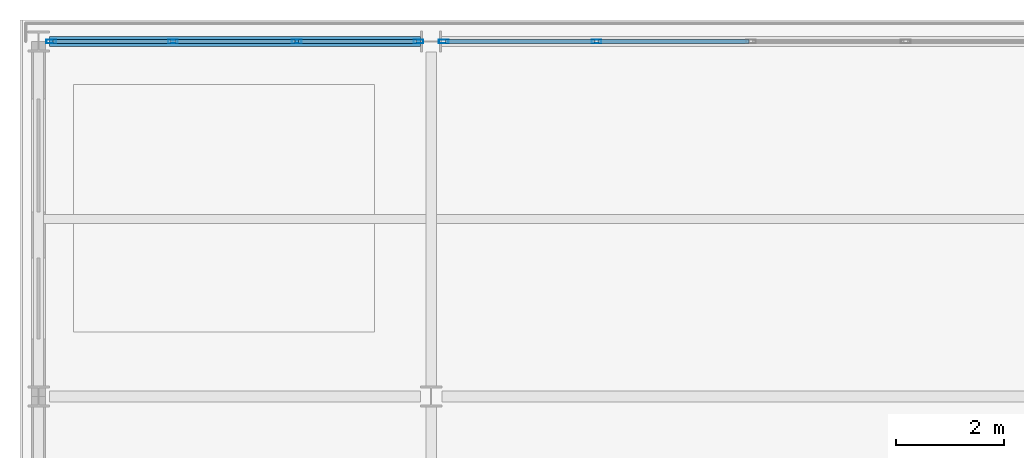
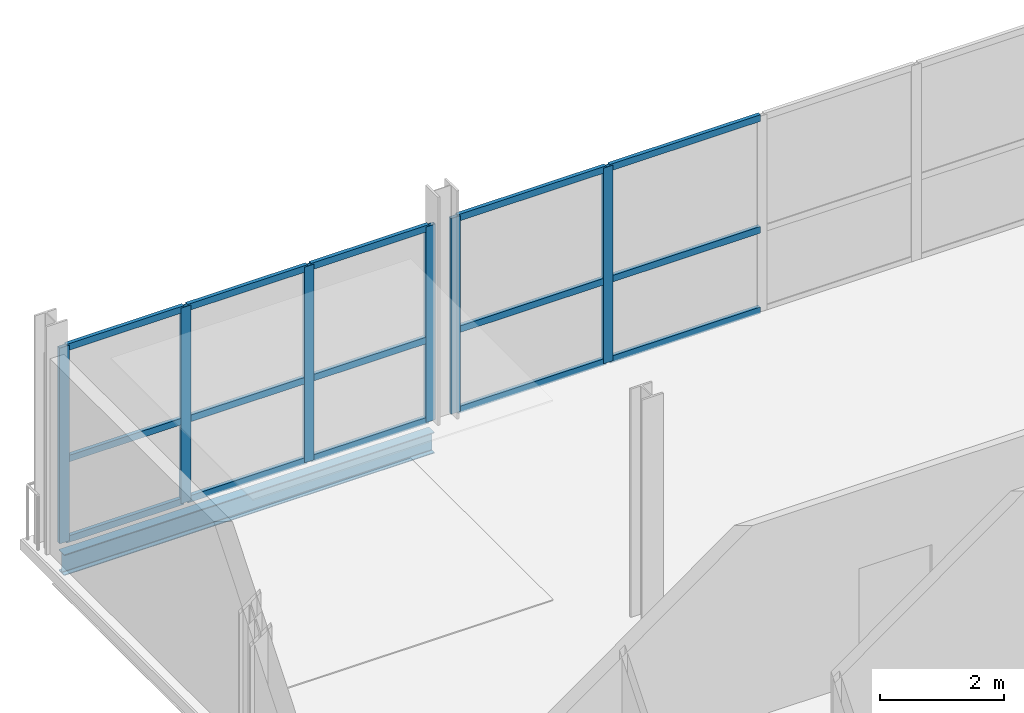
# One storey, part 36 of 77: 21 members, 1 beam, 2 elements without a shape of their own.
"""IFC4 building model written with IfcOpenShell, lengths in metres."""

from ifc_helpers import new_model, si_unit, direction, frame, origin, origin_2d, place, context, subcontext, project, spatial, hollow_rectangle, i_section, extrude, material, layer, layer_set, material_profile, profile_set, type_object, element, aggregate, save


model = new_model("IFC4")

# Units and contexts
model_context = context("Model", 3, precision=1e-05, world=origin(), true_north=direction((0.0, 1.0)))
body_context = subcontext(model_context, "Body", "Model", "MODEL_VIEW")
ifc_project = project(units=[si_unit("LENGTHUNIT", "METRE"), si_unit("AREAUNIT", "SQUARE_METRE"), si_unit("VOLUMEUNIT", "CUBIC_METRE"), si_unit("PLANEANGLEUNIT", "RADIAN"), si_unit("MASSUNIT", "GRAM", prefix="KILO")], contexts=[model_context])

# Site, building, storey
site_placement = place(None, origin())
site = spatial("IfcSite", under=ifc_project, at=site_placement, CompositionType="ELEMENT")
building_placement = place(site_placement, origin())
building = spatial("IfcBuilding", under=site, at=building_placement, Name="Quillay Park Conservatory", CompositionType="ELEMENT")
storey_placement = place(building_placement, frame((0.0, 0.0, 5.39990234375)))
storey = spatial("IfcBuildingStorey", under=building, at=storey_placement, Name="L01", CompositionType="ELEMENT", Elevation=5.39990234375)

# Curtain wall, members
ifc_material_1 = material(Name="Thermally Broken Anodised Aluminium 6063-T6", Category="aluminium")
ifc_layer = layer(ifc_material_1, 0.179931640625)
ifc_layer_set = layer_set([ifc_layer], Name="UNITISED CURTAIN WALL TOWER (Thermally Broken Anodised Aluminium 6063-T6)")
curtain_wall_type = type_object("IfcCurtainWallType", Name="UNITISED CURTAIN WALL TOWER", PredefinedType="USERDEFINED", material=ifc_layer_set)
curtain_wall_1_placement = place(storey_placement, origin())
curtain_wall_1 = element("IfcCurtainWall", 1, at=curtain_wall_1_placement, inside=storey, type_object=curtain_wall_type, Name="L01 Unitised Curtain Wall 016", ObjectType="UNITISED CURTAIN WALL", PredefinedType="USERDEFINED")
ifc_material_2 = material(Name="Thermally Broken Anodised Aluminium 6063-T6", Category="aluminium")
ifc_material_profile_1 = material_profile(ifc_material_2, hollow_rectangle(XDim=0.070068359375, YDim=0.179931640625, WallThickness=0.00390625, at=origin_2d()), Name="AL70x180x4")
ifc_profile_set_1 = profile_set([ifc_material_profile_1], Name="Thermally Broken Anodised Aluminium 6063-T6")
member_type_1 = type_object("IfcMemberType", Name="CURTAIN WALL MULLION 70 X180", PredefinedType="MULLION", material=ifc_profile_set_1)
member_1_placement = place(storey_placement, frame((0.784912109375, 113.39990234375, 0.0), z_axis=(0.0, 0.0, 1.0), x_axis=(0.0, 1.0, 0.0)))
member_1 = element("IfcMember", 2, at=member_1_placement, type_object=member_type_1, Name="CW-T1 mullion 1", PredefinedType="MULLION", context=body_context, shape_type="SweptSolid", body=[
    extrude(hollow_rectangle(XDim=0.070068359375, YDim=0.179931640625, WallThickness=0.00390625, at=origin_2d()), origin(), (0.0, 0.0, 1.0), 3.859130859375),
])
member_2_placement = place(storey_placement, frame((3.050048828125, 113.39990234375, 0.0), z_axis=(0.0, 0.0, 1.0), x_axis=(0.0, 1.0, 0.0)))
member_2 = element("IfcMember", 3, at=member_2_placement, type_object=member_type_1, Name="CW-T1 mullion 2", PredefinedType="MULLION", context=body_context, shape_type="SweptSolid", body=[
    extrude(hollow_rectangle(XDim=0.070068359375, YDim=0.179931640625, WallThickness=0.00390625, at=origin_2d()), origin(), (0.0, 0.0, 1.0), 3.859130859375),
])
member_3_placement = place(storey_placement, frame((5.35009765625, 113.39990234375, 0.0), z_axis=(0.0, 0.0, 1.0), x_axis=(0.0, 1.0, 0.0)))
member_3 = element("IfcMember", 4, at=member_3_placement, type_object=member_type_1, Name="CW-T1 mullion 3", PredefinedType="MULLION", context=body_context, shape_type="SweptSolid", body=[
    extrude(hollow_rectangle(XDim=0.070068359375, YDim=0.179931640625, WallThickness=0.00390625, at=origin_2d()), origin(), (0.0, 0.0, 1.0), 3.859130859375),
])
member_4_placement = place(storey_placement, frame((7.614990234375, 113.39990234375, 0.0), z_axis=(0.0, 0.0, 1.0), x_axis=(0.0, 1.0, 0.0)))
member_4 = element("IfcMember", 5, at=member_4_placement, type_object=member_type_1, Name="CW-T1 mullion 4", PredefinedType="MULLION", context=body_context, shape_type="SweptSolid", body=[
    extrude(hollow_rectangle(XDim=0.070068359375, YDim=0.179931640625, WallThickness=0.00390625, at=origin_2d()), origin(), (0.0, 0.0, 1.0), 3.859130859375),
])

curtain_wall_2_placement = place(storey_placement, origin())
curtain_wall_2 = element("IfcCurtainWall", 6, at=curtain_wall_2_placement, inside=storey, type_object=curtain_wall_type, Name="L01 Unitised Curtain Wall 017", ObjectType="UNITISED CURTAIN WALL", PredefinedType="USERDEFINED")
member_5_placement = place(storey_placement, frame((8.0849609375, 113.39990234375, 0.0), z_axis=(0.0, 0.0, 1.0), x_axis=(0.0, 1.0, 0.0)))
member_5 = element("IfcMember", 7, at=member_5_placement, type_object=member_type_1, Name="CW-T1 mullion 1", PredefinedType="MULLION", context=body_context, shape_type="SweptSolid", body=[
    extrude(hollow_rectangle(XDim=0.070068359375, YDim=0.179931640625, WallThickness=0.00390625, at=origin_2d()), origin(), (0.0, 0.0, 1.0), 3.859130859375),
])
member_6_placement = place(storey_placement, frame((10.925048828125, 113.39990234375, 0.0), z_axis=(0.0, 0.0, 1.0), x_axis=(0.0, 1.0, 0.0)))
member_6 = element("IfcMember", 8, at=member_6_placement, type_object=member_type_1, Name="CW-T1 mullion 2", PredefinedType="MULLION", context=body_context, shape_type="SweptSolid", body=[
    extrude(hollow_rectangle(XDim=0.070068359375, YDim=0.179931640625, WallThickness=0.00390625, at=origin_2d()), origin(), (0.0, 0.0, 1.0), 3.859130859375),
])

# Member
ifc_material_3 = material(Name="Thermally Broken Anodised Aluminium 6063-T6", Category="aluminium")
ifc_material_profile_2 = material_profile(ifc_material_3, hollow_rectangle(XDim=0.070068359375, YDim=0.1298828125, WallThickness=0.003173828125, at=origin_2d()), Name="AL70x130x3.2")
ifc_profile_set_2 = profile_set([ifc_material_profile_2], Name="Thermally Broken Anodised Aluminium 6063-T6")
member_type_2 = type_object("IfcMemberType", Name="CURTAIN WALL TRANSOM 70 X130", PredefinedType="USERDEFINED", material=ifc_profile_set_2)
member_7_placement = place(storey_placement, frame((0.820068359375, 113.39990234375, 0.03515625), z_axis=(1.0, 0.0, 0.0), x_axis=(0.0, 1.0, 0.0)))
member_7 = element("IfcMember", 9, at=member_7_placement, type_object=member_type_2, Name="CW-T1 transom 1.1", ObjectType="TRANSOM", PredefinedType="USERDEFINED", context=body_context, shape_type="SweptSolid", body=[
    extrude(hollow_rectangle(XDim=0.070068359375, YDim=0.1298828125, WallThickness=0.003173828125, at=origin_2d()), origin(), (0.0, 0.0, 1.0), 2.19482421875),
])

member_8_placement = place(storey_placement, frame((0.820068359375, 113.39990234375, 1.620849609375), z_axis=(1.0, 0.0, 0.0), x_axis=(0.0, 1.0, 0.0)))
member_8 = element("IfcMember", 10, at=member_8_placement, type_object=member_type_2, Name="CW-T1 transom 1.2", ObjectType="TRANSOM", PredefinedType="USERDEFINED", context=body_context, shape_type="SweptSolid", body=[
    extrude(hollow_rectangle(XDim=0.070068359375, YDim=0.1298828125, WallThickness=0.003173828125, at=origin_2d()), origin(), (0.0, 0.0, 1.0), 2.19482421875),
])

member_9_placement = place(storey_placement, frame((0.820068359375, 113.39990234375, 3.82421875), z_axis=(1.0, 0.0, 0.0), x_axis=(0.0, 1.0, 0.0)))
member_9 = element("IfcMember", 11, at=member_9_placement, type_object=member_type_2, Name="CW-T1 transom 1.3", ObjectType="TRANSOM", PredefinedType="USERDEFINED", context=body_context, shape_type="SweptSolid", body=[
    extrude(hollow_rectangle(XDim=0.070068359375, YDim=0.1298828125, WallThickness=0.003173828125, at=origin_2d()), origin(), (0.0, 0.0, 1.0), 2.19482421875),
])

member_10_placement = place(storey_placement, frame((3.0849609375, 113.39990234375, 0.03515625), z_axis=(1.0, 0.0, 0.0), x_axis=(0.0, 1.0, 0.0)))
member_10 = element("IfcMember", 12, at=member_10_placement, type_object=member_type_2, Name="CW-T1 transom 2.1", ObjectType="TRANSOM", PredefinedType="USERDEFINED", context=body_context, shape_type="SweptSolid", body=[
    extrude(hollow_rectangle(XDim=0.070068359375, YDim=0.1298828125, WallThickness=0.003173828125, at=origin_2d()), origin(), (0.0, 0.0, 1.0), 2.22998046875),
])

member_11_placement = place(storey_placement, frame((3.0849609375, 113.39990234375, 1.620849609375), z_axis=(1.0, 0.0, 0.0), x_axis=(0.0, 1.0, 0.0)))
member_11 = element("IfcMember", 13, at=member_11_placement, type_object=member_type_2, Name="CW-T1 transom 2.2", ObjectType="TRANSOM", PredefinedType="USERDEFINED", context=body_context, shape_type="SweptSolid", body=[
    extrude(hollow_rectangle(XDim=0.070068359375, YDim=0.1298828125, WallThickness=0.003173828125, at=origin_2d()), origin(), (0.0, 0.0, 1.0), 2.22998046875),
])

member_12_placement = place(storey_placement, frame((3.0849609375, 113.39990234375, 3.82421875), z_axis=(1.0, 0.0, 0.0), x_axis=(0.0, 1.0, 0.0)))
member_12 = element("IfcMember", 14, at=member_12_placement, type_object=member_type_2, Name="CW-T1 transom 2.3", ObjectType="TRANSOM", PredefinedType="USERDEFINED", context=body_context, shape_type="SweptSolid", body=[
    extrude(hollow_rectangle(XDim=0.070068359375, YDim=0.1298828125, WallThickness=0.003173828125, at=origin_2d()), origin(), (0.0, 0.0, 1.0), 2.22998046875),
])

member_13_placement = place(storey_placement, frame((5.385009765625, 113.39990234375, 0.03515625), z_axis=(1.0, 0.0, 0.0), x_axis=(0.0, 1.0, 0.0)))
member_13 = element("IfcMember", 15, at=member_13_placement, type_object=member_type_2, Name="CW-T1 transom 3.1", ObjectType="TRANSOM", PredefinedType="USERDEFINED", context=body_context, shape_type="SweptSolid", body=[
    extrude(hollow_rectangle(XDim=0.070068359375, YDim=0.1298828125, WallThickness=0.003173828125, at=origin_2d()), origin(), (0.0, 0.0, 1.0), 2.195068359375),
])

member_14_placement = place(storey_placement, frame((5.385009765625, 113.39990234375, 1.620849609375), z_axis=(1.0, 0.0, 0.0), x_axis=(0.0, 1.0, 0.0)))
member_14 = element("IfcMember", 16, at=member_14_placement, type_object=member_type_2, Name="CW-T1 transom 3.2", ObjectType="TRANSOM", PredefinedType="USERDEFINED", context=body_context, shape_type="SweptSolid", body=[
    extrude(hollow_rectangle(XDim=0.070068359375, YDim=0.1298828125, WallThickness=0.003173828125, at=origin_2d()), origin(), (0.0, 0.0, 1.0), 2.195068359375),
])

member_15_placement = place(storey_placement, frame((5.385009765625, 113.39990234375, 3.82421875), z_axis=(1.0, 0.0, 0.0), x_axis=(0.0, 1.0, 0.0)))
member_15 = element("IfcMember", 17, at=member_15_placement, type_object=member_type_2, Name="CW-T1 transom 3.3", ObjectType="TRANSOM", PredefinedType="USERDEFINED", context=body_context, shape_type="SweptSolid", body=[
    extrude(hollow_rectangle(XDim=0.070068359375, YDim=0.1298828125, WallThickness=0.003173828125, at=origin_2d()), origin(), (0.0, 0.0, 1.0), 2.195068359375),
])

aggregate(curtain_wall_1, [member_1, member_2, member_3, member_4, member_7, member_8, member_9, member_10, member_11, member_12, member_13, member_14, member_15])

member_16_placement = place(storey_placement, frame((8.1201171875, 113.39990234375, 0.03515625), z_axis=(1.0, 0.0, 0.0), x_axis=(0.0, 1.0, 0.0)))
member_16 = element("IfcMember", 18, at=member_16_placement, type_object=member_type_2, Name="CW-T1 transom 1.1", ObjectType="TRANSOM", PredefinedType="USERDEFINED", context=body_context, shape_type="SweptSolid", body=[
    extrude(hollow_rectangle(XDim=0.070068359375, YDim=0.1298828125, WallThickness=0.003173828125, at=origin_2d()), origin(), (0.0, 0.0, 1.0), 2.769775390625),
])

member_17_placement = place(storey_placement, frame((8.1201171875, 113.39990234375, 1.620849609375), z_axis=(1.0, 0.0, 0.0), x_axis=(0.0, 1.0, 0.0)))
member_17 = element("IfcMember", 19, at=member_17_placement, type_object=member_type_2, Name="CW-T1 transom 1.2", ObjectType="TRANSOM", PredefinedType="USERDEFINED", context=body_context, shape_type="SweptSolid", body=[
    extrude(hollow_rectangle(XDim=0.070068359375, YDim=0.1298828125, WallThickness=0.003173828125, at=origin_2d()), origin(), (0.0, 0.0, 1.0), 2.769775390625),
])

member_18_placement = place(storey_placement, frame((8.1201171875, 113.39990234375, 3.82421875), z_axis=(1.0, 0.0, 0.0), x_axis=(0.0, 1.0, 0.0)))
member_18 = element("IfcMember", 20, at=member_18_placement, type_object=member_type_2, Name="CW-T1 transom 1.3", ObjectType="TRANSOM", PredefinedType="USERDEFINED", context=body_context, shape_type="SweptSolid", body=[
    extrude(hollow_rectangle(XDim=0.070068359375, YDim=0.1298828125, WallThickness=0.003173828125, at=origin_2d()), origin(), (0.0, 0.0, 1.0), 2.769775390625),
])

member_19_placement = place(storey_placement, frame((10.9599609375, 113.39990234375, 0.03515625), z_axis=(1.0, 0.0, 0.0), x_axis=(0.0, 1.0, 0.0)))
member_19 = element("IfcMember", 21, at=member_19_placement, type_object=member_type_2, Name="CW-T1 transom 2.1", ObjectType="TRANSOM", PredefinedType="USERDEFINED", context=body_context, shape_type="SweptSolid", body=[
    extrude(hollow_rectangle(XDim=0.070068359375, YDim=0.1298828125, WallThickness=0.003173828125, at=origin_2d()), origin(), (0.0, 0.0, 1.0), 2.804931640625),
])

member_20_placement = place(storey_placement, frame((10.9599609375, 113.39990234375, 1.620849609375), z_axis=(1.0, 0.0, 0.0), x_axis=(0.0, 1.0, 0.0)))
member_20 = element("IfcMember", 22, at=member_20_placement, type_object=member_type_2, Name="CW-T1 transom 2.2", ObjectType="TRANSOM", PredefinedType="USERDEFINED", context=body_context, shape_type="SweptSolid", body=[
    extrude(hollow_rectangle(XDim=0.070068359375, YDim=0.1298828125, WallThickness=0.003173828125, at=origin_2d()), origin(), (0.0, 0.0, 1.0), 2.804931640625),
])

member_21_placement = place(storey_placement, frame((10.9599609375, 113.39990234375, 3.82421875), z_axis=(1.0, 0.0, 0.0), x_axis=(0.0, 1.0, 0.0)))
member_21 = element("IfcMember", 23, at=member_21_placement, type_object=member_type_2, Name="CW-T1 transom 2.3", ObjectType="TRANSOM", PredefinedType="USERDEFINED", context=body_context, shape_type="SweptSolid", body=[
    extrude(hollow_rectangle(XDim=0.070068359375, YDim=0.1298828125, WallThickness=0.003173828125, at=origin_2d()), origin(), (0.0, 0.0, 1.0), 2.804931640625),
])

aggregate(curtain_wall_2, [member_5, member_6, member_16, member_17, member_18, member_19, member_20, member_21])

# Beam
ifc_material_4 = material(Name="Steel ASTM A992 Grade 50", Category="steel")
ifc_material_profile_3 = material_profile(ifc_material_4, i_section(OverallWidth=0.179931640625, OverallDepth=0.4130859375, WebThickness=0.009765625, FlangeThickness=0.01611328125, FilletRadius=0.011962890625, at=origin_2d()), Name="W410x74")
ifc_profile_set_3 = profile_set([ifc_material_profile_3], Name="Steel ASTM A992 Grade 50")
beam_type = type_object("IfcBeamType", Name="PERIMETER SPANDREL BEAM W410 X74", PredefinedType="SPANDREL", material=ifc_profile_set_3)
beam_placement = place(storey_placement, frame((0.74951171875, 113.39990234375, -0.406494140625), z_axis=(1.0, 0.0, 0.0), x_axis=(0.0, 1.0, 0.0)))
element("IfcBeam", 24, at=beam_placement, inside=storey, type_object=beam_type, Name="L01 beam BM-SP-0127", PredefinedType="SPANDREL", context=body_context, shape_type="SweptSolid", body=[
    extrude(i_section(OverallWidth=0.179931640625, OverallDepth=0.4130859375, WebThickness=0.009765625, FlangeThickness=0.01611328125, FilletRadius=0.011962890625, at=origin_2d()), origin(), (0.0, 0.0, 1.0), 6.904052734375),
])

save(model, "model.ifc")
